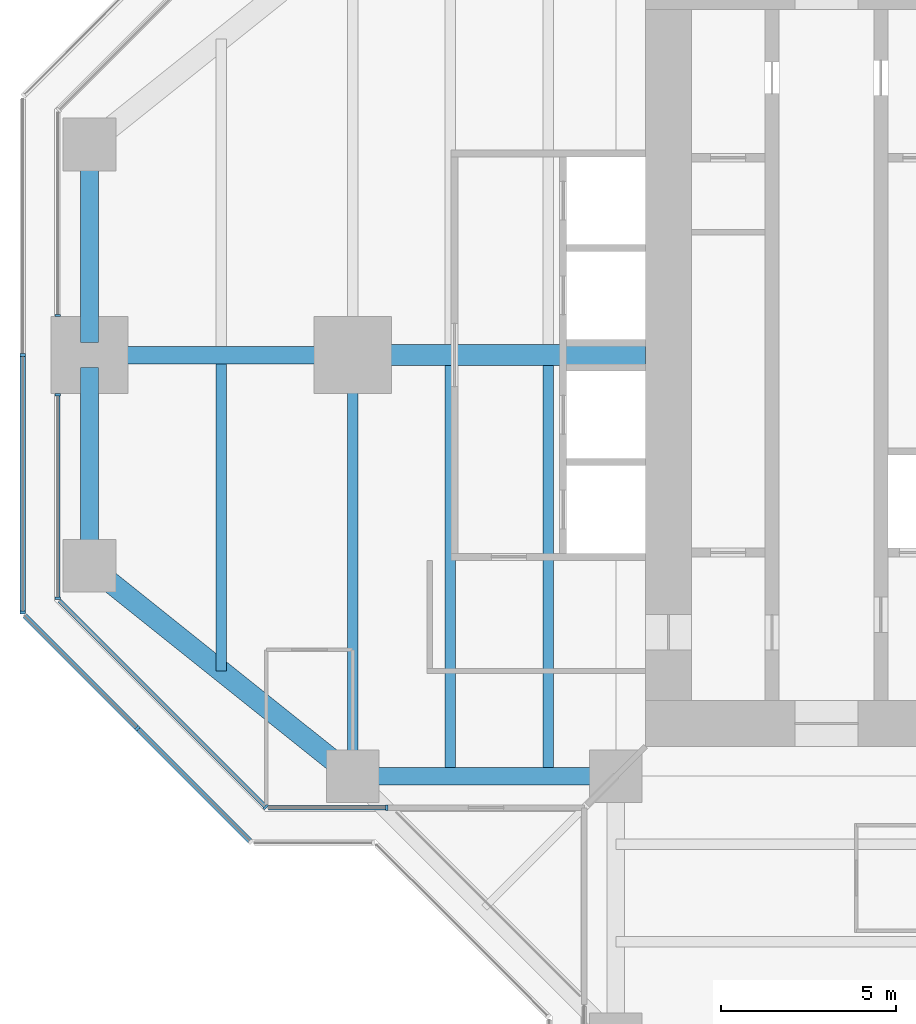
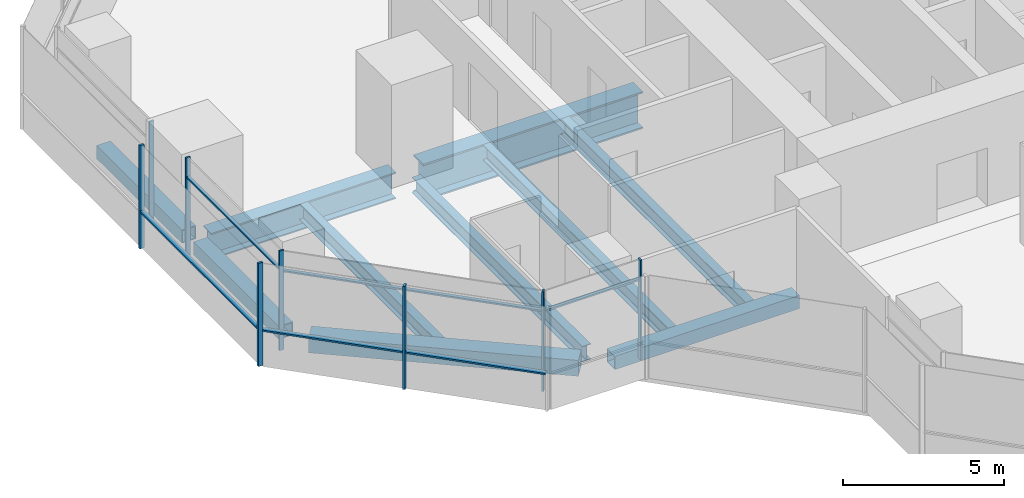
# One storey, part 3 of 17: 14 members, 10 beams, 6 elements without a shape of their own.
"""IFC4 building model written with IfcOpenShell, lengths in metres."""

from ifc_helpers import new_model, si_unit, direction, frame, origin, origin_2d, place, context, subcontext, project, spatial, rectangle, hollow_rectangle, i_section, extrude, material, material_profile, profile_set, type_object, element, aggregate, save


model = new_model("IFC4")

# Units and contexts
model_context = context("Model", 3, precision=1e-05, world=origin(), true_north=direction((0.0, 1.0)))
body_context = subcontext(model_context, "Body", "Model", "MODEL_VIEW")
ifc_project = project(units=[si_unit("LENGTHUNIT", "METRE"), si_unit("AREAUNIT", "SQUARE_METRE"), si_unit("VOLUMEUNIT", "CUBIC_METRE"), si_unit("PLANEANGLEUNIT", "RADIAN"), si_unit("MASSUNIT", "GRAM", prefix="KILO")], contexts=[model_context])

# Site, building, storey
site_placement = place(None, origin())
site = spatial("IfcSite", under=ifc_project, at=site_placement, CompositionType="ELEMENT")
building_placement = place(site_placement, origin())
building = spatial("IfcBuilding", under=site, at=building_placement, Name="Mizan Broadcast Tower", CompositionType="ELEMENT")
storey_placement = place(building_placement, frame((0.0, 0.0, 251.699951171875)))
storey = spatial("IfcBuildingStorey", under=building, at=storey_placement, Name="L59", CompositionType="ELEMENT", Elevation=251.699951171875)

# Beams
ifc_material_1 = material(Name="Steel S355", Category="steel")
ifc_material_profile_1 = material_profile(ifc_material_1, hollow_rectangle(XDim=0.5, YDim=0.5, WallThickness=0.030029296875, at=origin_2d()), Name="BOX 500x500x30")
ifc_profile_set_1 = profile_set([ifc_material_profile_1], Name="Steel S355")
beam_type_1 = type_object("IfcBeamType", Name="EDGE BEAM BOX 500x500x30", PredefinedType="SPANDREL", material=ifc_profile_set_1)
beam_1_placement = place(storey_placement, frame((-27.0, 5.639892578125, -0.3798828125), z_axis=(0.0, -1.0, 0.0), x_axis=(1.0, 0.0, 0.0)))
element("IfcBeam", 1, at=beam_1_placement, inside=storey, type_object=beam_type_1, Name="Edge beam BOX 500x500x30 L59 west arm", PredefinedType="SPANDREL", context=body_context, shape_type="SweptSolid", body=[
    extrude(hollow_rectangle(XDim=0.5, YDim=0.5, WallThickness=0.030029296875, at=origin_2d()), origin(), (0.0, 0.0, 1.0), 5.27978515625),
])
beam_2_placement = place(storey_placement, frame((-12.449951171875, -12.0, -0.3798828125), z_axis=(-1.0, 0.0, 0.0), x_axis=(0.0, -1.0, 0.0)))
element("IfcBeam", 2, at=beam_2_placement, inside=storey, type_object=beam_type_1, Name="Edge beam BOX 500x500x30 L59 west arm", PredefinedType="SPANDREL", context=body_context, shape_type="SweptSolid", body=[
    extrude(hollow_rectangle(XDim=0.5, YDim=0.5, WallThickness=0.030029296875, at=origin_2d()), origin(), (0.0, 0.0, 1.0), 6.60009765625),
])
beam_3_placement = place(storey_placement, frame((-27.0, -5.639892578125, -0.3798828125), z_axis=(0.0, 1.0, 0.0), x_axis=(-1.0, 0.0, 0.0)))
element("IfcBeam", 3, at=beam_3_placement, inside=storey, type_object=beam_type_1, Name="Edge beam BOX 500x500x30 L59 west arm", PredefinedType="SPANDREL", context=body_context, shape_type="SweptSolid", body=[
    extrude(hollow_rectangle(XDim=0.5, YDim=0.5, WallThickness=0.030029296875, at=origin_2d()), origin(), (0.0, 0.0, 1.0), 5.27978515625),
])
ifc_material_2 = material(Name="Steel S355", Category="steel")
ifc_material_profile_2 = material_profile(ifc_material_2, hollow_rectangle(XDim=0.60009765625, YDim=0.60009765625, WallThickness=0.030029296875, at=origin_2d()), Name="BOX 600x600x30")
ifc_profile_set_2 = profile_set([ifc_material_profile_2], Name="Steel S355")
beam_type_2 = type_object("IfcBeamType", Name="EDGE BEAM BOX 600x600x30", PredefinedType="SPANDREL", material=ifc_profile_set_2)
beam_4_placement = place(storey_placement, frame((-19.949951171875, -11.639892578125, -0.429931640625), z_axis=(-0.780885717636, 0.624673911726, 0.0), x_axis=(-0.624673911726, -0.780885717636, 0.0)))
element("IfcBeam", 4, at=beam_4_placement, inside=storey, type_object=beam_type_2, Name="Edge beam BOX 600x600x30 L59 west arm", PredefinedType="SPANDREL", context=body_context, shape_type="SweptSolid", body=[
    extrude(hollow_rectangle(XDim=0.60009765625, YDim=0.60009765625, WallThickness=0.030029296875, at=origin_2d()), origin(), (0.0, 0.0, 1.0), 8.4521484375),
])
ifc_material_3 = material(Name="Steel S355", Category="steel")
ifc_material_profile_3 = material_profile(ifc_material_3, i_section(OverallWidth=0.300048828125, OverallDepth=0.590087890625, WebThickness=0.012939453125, FlangeThickness=0.02490234375, FilletRadius=0.027099609375, at=origin_2d()), Name="HEA 600")
ifc_profile_set_3 = profile_set([ifc_material_profile_3], Name="Steel S355")
beam_type_3 = type_object("IfcBeamType", Name="GIRDER HEA 600", PredefinedType="BEAM", material=ifc_profile_set_3)
beam_5_placement = place(storey_placement, frame((-19.5, -11.280029296875, -0.425048828125), z_axis=(0.0, 1.0, 0.0), x_axis=(-1.0, 0.0, 0.0)))
element("IfcBeam", 5, at=beam_5_placement, inside=storey, type_object=beam_type_3, Name="Girder HEA 600 L59 west arm", PredefinedType="BEAM", context=body_context, shape_type="SweptSolid", body=[
    extrude(i_section(OverallWidth=0.300048828125, OverallDepth=0.590087890625, WebThickness=0.012939453125, FlangeThickness=0.02490234375, FilletRadius=0.027099609375, at=origin_2d()), origin(), (0.0, 0.0, 1.0), 10.56005859375),
])
ifc_material_4 = material(Name="Steel S460", Category="steel")
ifc_material_profile_4 = material_profile(ifc_material_4, i_section(OverallWidth=0.5, OverallDepth=1.0, WebThickness=0.02490234375, FlangeThickness=0.050048828125, at=origin_2d()), Name="WPG 1000x500")
ifc_profile_set_4 = profile_set([ifc_material_profile_4], Name="Steel S460")
beam_type_4 = type_object("IfcBeamType", Name="GIRDER WPG 1000x500", PredefinedType="BEAM", material=ifc_profile_set_4)
beam_6_placement = place(storey_placement, frame((-19.949951171875, 0.0, -0.6298828125), z_axis=(-1.0, 0.0, 0.0), x_axis=(0.0, -1.0, 0.0)))
element("IfcBeam", 6, at=beam_6_placement, inside=storey, type_object=beam_type_4, Name="Girder WPG 1000x500 L59 west arm", PredefinedType="BEAM", context=body_context, shape_type="SweptSolid", body=[
    extrude(i_section(OverallWidth=0.5, OverallDepth=1.0, WebThickness=0.02490234375, FlangeThickness=0.050048828125, at=origin_2d()), origin(), (0.0, 0.0, 1.0), 6.60009765625),
])
ifc_material_5 = material(Name="Steel S460", Category="steel")
ifc_material_profile_5 = material_profile(ifc_material_5, i_section(OverallWidth=0.60009765625, OverallDepth=1.39990234375, WebThickness=0.02490234375, FlangeThickness=0.06005859375, at=origin_2d()), Name="WPG 1400x600")
ifc_profile_set_5 = profile_set([ifc_material_profile_5], Name="Steel S460")
beam_type_5 = type_object("IfcBeamType", Name="GIRDER WPG 1400x600", PredefinedType="BEAM", material=ifc_profile_set_5)
beam_7_placement = place(storey_placement, frame((-11.14990234375, 0.0, -0.829833984375), z_axis=(-1.0, 0.0, 0.0), x_axis=(0.0, -1.0, 0.0)))
element("IfcBeam", 7, at=beam_7_placement, inside=storey, type_object=beam_type_5, Name="Girder WPG 1400x600 L59 west arm", PredefinedType="BEAM", context=body_context, shape_type="SweptSolid", body=[
    extrude(i_section(OverallWidth=0.60009765625, OverallDepth=1.39990234375, WebThickness=0.02490234375, FlangeThickness=0.06005859375, at=origin_2d()), origin(), (0.0, 0.0, 1.0), 7.84912109375),
])

# Curtain wall, member
ifc_material_6 = material(Name="Aluminium framed glazing", Category="aluminium")
curtain_wall_type_1 = type_object("IfcCurtainWallType", Name="INNER SKIN HIGH ZONE", PredefinedType="USERDEFINED", material=ifc_material_6)
curtain_wall_1_placement = place(storey_placement, origin())
curtain_wall_1 = element("IfcCurtainWall", 8, at=curtain_wall_1_placement, inside=storey, type_object=curtain_wall_type_1, Name="Inner skin high zone L59 W end", ObjectType="INNER SKIN HIGH ZONE", PredefinedType="USERDEFINED")
ifc_material_7 = material(Name="Aluminium, pale anodised", Category="aluminium")
ifc_material_profile_6 = material_profile(ifc_material_7, rectangle(XDim=0.159912109375, YDim=0.06005859375, at=origin_2d()), Name="MULLION 160x60")
ifc_profile_set_6 = profile_set([ifc_material_profile_6], Name="Aluminium, pale anodised")
member_type_1 = type_object("IfcMemberType", Name="INNER SKIN MULLION 60x160", PredefinedType="MULLION", material=ifc_profile_set_6)
member_1_placement = place(storey_placement, frame((-27.89990234375, 1.1298828125, 0.0), z_axis=(0.0, 0.0, 1.0), x_axis=(1.0, 0.0, 0.0)))
member_1 = element("IfcMember", 9, at=member_1_placement, type_object=member_type_1, Name="Inner skin high zone L59 W end mullion 2", PredefinedType="MULLION", context=body_context, shape_type="SweptSolid", body=[
    extrude(rectangle(XDim=0.159912109375, YDim=0.06005859375, at=origin_2d()), origin(), (0.0, 0.0, 1.0), 3.77001953125),
])
aggregate(curtain_wall_1, [member_1])

# Curtain wall, members
curtain_wall_2_placement = place(storey_placement, origin())
curtain_wall_2 = element("IfcCurtainWall", 10, at=curtain_wall_2_placement, inside=storey, type_object=curtain_wall_type_1, Name="Inner skin high zone L59 W end", ObjectType="INNER SKIN HIGH ZONE", PredefinedType="USERDEFINED")
member_2_placement = place(storey_placement, frame((-27.89990234375, -1.1298828125, 0.0), z_axis=(0.0, 0.0, 1.0), x_axis=(1.0, 0.0, 0.0)))
member_2 = element("IfcMember", 11, at=member_2_placement, type_object=member_type_1, Name="Inner skin high zone L59 W end mullion 1", PredefinedType="MULLION", context=body_context, shape_type="SweptSolid", body=[
    extrude(rectangle(XDim=0.159912109375, YDim=0.06005859375, at=origin_2d()), origin(), (0.0, 0.0, 1.0), 3.77001953125),
])
member_3_placement = place(storey_placement, frame((-27.89990234375, -6.928466796875, 0.0), z_axis=(0.0, 0.0, 1.0), x_axis=(1.0, 0.0, 0.0)))
member_3 = element("IfcMember", 12, at=member_3_placement, type_object=member_type_1, Name="Inner skin high zone L59 W end mullion 2", PredefinedType="MULLION", context=body_context, shape_type="SweptSolid", body=[
    extrude(rectangle(XDim=0.159912109375, YDim=0.06005859375, at=origin_2d()), origin(), (0.0, 0.0, 1.0), 3.77001953125),
])

# Curtain wall, member
curtain_wall_3_placement = place(storey_placement, origin())
curtain_wall_3 = element("IfcCurtainWall", 13, at=curtain_wall_3_placement, inside=storey, type_object=curtain_wall_type_1, Name="Inner skin high zone L59 W chamfer", ObjectType="INNER SKIN HIGH ZONE", PredefinedType="USERDEFINED")
member_4_placement = place(storey_placement, frame((-21.979736328125, -12.87890625, 0.0), z_axis=(0.0, 0.0, 1.0), x_axis=(0.707106781187, 0.707106781187, 0.0)))
member_4 = element("IfcMember", 14, at=member_4_placement, type_object=member_type_1, Name="Inner skin high zone L59 W chamfer mullion 2", PredefinedType="MULLION", context=body_context, shape_type="SweptSolid", body=[
    extrude(rectangle(XDim=0.159912109375, YDim=0.06005859375, at=origin_2d()), origin(), (0.0, 0.0, 1.0), 3.77001953125),
])

curtain_wall_4_placement = place(storey_placement, origin())
curtain_wall_4 = element("IfcCurtainWall", 15, at=curtain_wall_4_placement, inside=storey, type_object=curtain_wall_type_1, Name="Inner skin high zone L59 W side", ObjectType="INNER SKIN HIGH ZONE", PredefinedType="USERDEFINED")
member_5_placement = place(storey_placement, frame((-18.530029296875, -12.89990234375, 0.0), z_axis=(0.0, 0.0, 1.0), x_axis=(0.0, 1.0, 0.0)))
member_5 = element("IfcMember", 16, at=member_5_placement, type_object=member_type_1, Name="Inner skin high zone L59 W side mullion 2", PredefinedType="MULLION", context=body_context, shape_type="SweptSolid", body=[
    extrude(rectangle(XDim=0.159912109375, YDim=0.06005859375, at=origin_2d()), origin(), (0.0, 0.0, 1.0), 3.77001953125),
])

# Member
ifc_material_8 = material(Name="Aluminium, pale anodised", Category="aluminium")
ifc_material_profile_7 = material_profile(ifc_material_8, rectangle(XDim=0.1201171875, YDim=0.06005859375, at=origin_2d()), Name="TRANSOM 120x60")
ifc_profile_set_7 = profile_set([ifc_material_profile_7], Name="Aluminium, pale anodised")
member_type_2 = type_object("IfcMemberType", Name="INNER SKIN TRANSOM 60x120", PredefinedType="USERDEFINED", material=ifc_profile_set_7)
member_6_placement = place(storey_placement, frame((-27.89990234375, -1.159912109375, 3.030029296875), z_axis=(0.0, -1.0, 0.0), x_axis=(1.0, 0.0, 0.0)))
member_6 = element("IfcMember", 17, at=member_6_placement, type_object=member_type_2, Name="Inner skin high zone L59 W end transom 1.1", ObjectType="TRANSOM", PredefinedType="USERDEFINED", context=body_context, shape_type="SweptSolid", body=[
    extrude(rectangle(XDim=0.1201171875, YDim=0.06005859375, at=origin_2d()), origin(), (0.0, 0.0, 1.0), 5.73876953125),
])

aggregate(curtain_wall_2, [member_2, member_3, member_6])

member_7_placement = place(storey_placement, frame((-27.857666015625, -7.0009765625, 3.030029296875), z_axis=(0.707106781187, -0.707106781187, 0.0), x_axis=(0.707106781187, 0.707106781187, 0.0)))
member_7 = element("IfcMember", 18, at=member_7_placement, type_object=member_type_2, Name="Inner skin high zone L59 W chamfer transom 1.1", ObjectType="TRANSOM", PredefinedType="USERDEFINED", context=body_context, shape_type="SweptSolid", body=[
    extrude(rectangle(XDim=0.1201171875, YDim=0.06005859375, at=origin_2d()), origin(), (0.0, 0.0, 1.0), 8.28271484375),
])

aggregate(curtain_wall_3, [member_4, member_7])

member_8_placement = place(storey_placement, frame((-21.898681640625, -12.89990234375, 3.030029296875), z_axis=(1.0, 0.0, 0.0), x_axis=(0.0, 1.0, 0.0)))
member_8 = element("IfcMember", 19, at=member_8_placement, type_object=member_type_2, Name="Inner skin high zone L59 W side transom 1.1", ObjectType="TRANSOM", PredefinedType="USERDEFINED", context=body_context, shape_type="SweptSolid", body=[
    extrude(rectangle(XDim=0.1201171875, YDim=0.06005859375, at=origin_2d()), origin(), (0.0, 0.0, 1.0), 3.338623046875),
])

aggregate(curtain_wall_4, [member_5, member_8])

# Curtain wall, members
ifc_material_9 = material(Name="Aluminium framed glazing", Category="aluminium")
curtain_wall_type_2 = type_object("IfcCurtainWallType", Name="OUTER SKIN", PredefinedType="USERDEFINED", material=ifc_material_9)
curtain_wall_5_placement = place(storey_placement, origin())
curtain_wall_5 = element("IfcCurtainWall", 20, at=curtain_wall_5_placement, inside=storey, type_object=curtain_wall_type_2, Name="Outer skin L59 W end", ObjectType="OUTER SKIN", PredefinedType="USERDEFINED")
ifc_material_10 = material(Name="Aluminium, pale anodised", Category="aluminium")
ifc_material_profile_8 = material_profile(ifc_material_10, rectangle(XDim=0.159912109375, YDim=0.080078125, at=origin_2d()), Name="MULLION 160x80")
ifc_profile_set_8 = profile_set([ifc_material_profile_8], Name="Aluminium, pale anodised")
member_type_3 = type_object("IfcMemberType", Name="OUTER SKIN MULLION 80x160", PredefinedType="MULLION", material=ifc_profile_set_8)
member_9_placement = place(storey_placement, frame((-28.89990234375, 0.0, 0.0), z_axis=(0.0, 0.0, 1.0), x_axis=(1.0, 0.0, 0.0)))
member_9 = element("IfcMember", 21, at=member_9_placement, type_object=member_type_3, Name="Outer skin L59 W end mullion 2", PredefinedType="MULLION", context=body_context, shape_type="SweptSolid", body=[
    extrude(rectangle(XDim=0.159912109375, YDim=0.080078125, at=origin_2d()), origin(), (0.0, 0.0, 1.0), 3.900146484375),
])
member_10_placement = place(storey_placement, frame((-28.89990234375, -7.332763671875, 0.0), z_axis=(0.0, 0.0, 1.0), x_axis=(1.0, 0.0, 0.0)))
member_10 = element("IfcMember", 22, at=member_10_placement, type_object=member_type_3, Name="Outer skin L59 W end mullion 3", PredefinedType="MULLION", context=body_context, shape_type="SweptSolid", body=[
    extrude(rectangle(XDim=0.159912109375, YDim=0.080078125, at=origin_2d()), origin(), (0.0, 0.0, 1.0), 3.900146484375),
])

# Curtain wall, member
curtain_wall_6_placement = place(storey_placement, origin())
curtain_wall_6 = element("IfcCurtainWall", 23, at=curtain_wall_6_placement, inside=storey, type_object=curtain_wall_type_2, Name="Outer skin L59 W chamfer", ObjectType="OUTER SKIN", PredefinedType="USERDEFINED")
member_11_placement = place(storey_placement, frame((-25.636474609375, -10.636474609375, 0.0), z_axis=(0.0, 0.0, 1.0), x_axis=(0.707106781187, 0.707106781187, 0.0)))
member_11 = element("IfcMember", 24, at=member_11_placement, type_object=member_type_3, Name="Outer skin L59 W chamfer mullion 2", PredefinedType="MULLION", context=body_context, shape_type="SweptSolid", body=[
    extrude(rectangle(XDim=0.159912109375, YDim=0.080078125, at=origin_2d()), origin(), (0.0, 0.0, 1.0), 3.900146484375),
])

# Member
ifc_material_11 = material(Name="Aluminium, pale anodised", Category="aluminium")
ifc_material_profile_9 = material_profile(ifc_material_11, rectangle(XDim=0.159912109375, YDim=0.06005859375, at=origin_2d()), Name="TRANSOM 160x60")
ifc_profile_set_9 = profile_set([ifc_material_profile_9], Name="Aluminium, pale anodised")
member_type_4 = type_object("IfcMemberType", Name="OUTER SKIN TRANSOM 60x160", PredefinedType="USERDEFINED", material=ifc_profile_set_9)
member_12_placement = place(storey_placement, frame((-28.89990234375, -0.0400390625, 1.400146484375), z_axis=(0.0, -1.0, 0.0), x_axis=(1.0, 0.0, 0.0)))
member_12 = element("IfcMember", 25, at=member_12_placement, type_object=member_type_4, Name="Outer skin L59 W end transom 2.1", ObjectType="TRANSOM", PredefinedType="USERDEFINED", context=body_context, shape_type="SweptSolid", body=[
    extrude(rectangle(XDim=0.159912109375, YDim=0.06005859375, at=origin_2d()), origin(), (0.0, 0.0, 1.0), 7.252685546875),
])

aggregate(curtain_wall_5, [member_9, member_10, member_12])

member_13_placement = place(storey_placement, frame((-28.843505859375, -7.429443359375, 1.400146484375), z_axis=(0.707106781187, -0.707106781187, 0.0), x_axis=(0.707106781187, 0.707106781187, 0.0)))
member_13 = element("IfcMember", 26, at=member_13_placement, type_object=member_type_4, Name="Outer skin L59 W chamfer transom 1.1", ObjectType="TRANSOM", PredefinedType="USERDEFINED", context=body_context, shape_type="SweptSolid", body=[
    extrude(rectangle(XDim=0.159912109375, YDim=0.06005859375, at=origin_2d()), origin(), (0.0, 0.0, 1.0), 4.495361328125),
])

member_14_placement = place(storey_placement, frame((-25.608154296875, -10.664794921875, 1.400146484375), z_axis=(0.707106781187, -0.707106781187, 0.0), x_axis=(0.707106781187, 0.707106781187, 0.0)))
member_14 = element("IfcMember", 27, at=member_14_placement, type_object=member_type_4, Name="Outer skin L59 W chamfer transom 2.1", ObjectType="TRANSOM", PredefinedType="USERDEFINED", context=body_context, shape_type="SweptSolid", body=[
    extrude(rectangle(XDim=0.159912109375, YDim=0.06005859375, at=origin_2d()), origin(), (0.0, 0.0, 1.0), 4.495361328125),
])

aggregate(curtain_wall_6, [member_11, member_13, member_14])

# Beams
ifc_material_12 = material(Name="Steel S355", Category="steel")
ifc_material_profile_10 = material_profile(ifc_material_12, i_section(OverallWidth=0.300048828125, OverallDepth=0.590087890625, WebThickness=0.012939453125, FlangeThickness=0.02490234375, FilletRadius=0.027099609375, at=origin_2d()), Name="HEA 600")
ifc_profile_set_10 = profile_set([ifc_material_profile_10], Name="Steel S355")
beam_type_6 = type_object("IfcBeamType", Name="SECONDARY BEAM HEA 600", PredefinedType="JOIST", material=ifc_profile_set_10)
for number, where, z_axis, x_axis, name in (
    (28, (-13.933349609375, -12.0, -0.425048828125), (0.0, 1.0, 0.0), (-1.0, 0.0, 0.0), "Secondary beam HEA 600 L59 west arm"),
    (29, (-16.716552734375, -12.0, -0.425048828125), (0.0, 1.0, 0.0), (-1.0, 0.0, 0.0), "Secondary beam HEA 600 L59 west arm"),
):
    element("IfcBeam", number, at=place(storey_placement, frame(where, z_axis=z_axis, x_axis=x_axis)), inside=storey, type_object=beam_type_6, Name=name, PredefinedType="JOIST", context=body_context, shape_type="SweptSolid", body=[
        extrude(i_section(OverallWidth=0.300048828125, OverallDepth=0.590087890625, WebThickness=0.012939453125, FlangeThickness=0.02490234375, FilletRadius=0.027099609375, at=origin_2d()), origin(), (0.0, 0.0, 1.0), 11.699951171875),
    ])
beam_8_placement = place(storey_placement, frame((-23.25, -9.0, -0.425048828125), z_axis=(0.0, 1.0, 0.0), x_axis=(-1.0, 0.0, 0.0)))
element("IfcBeam", 30, at=beam_8_placement, inside=storey, type_object=beam_type_6, Name="Secondary beam HEA 600 L59 west arm", PredefinedType="JOIST", context=body_context, shape_type="SweptSolid", body=[
    extrude(i_section(OverallWidth=0.300048828125, OverallDepth=0.590087890625, WebThickness=0.012939453125, FlangeThickness=0.02490234375, FilletRadius=0.027099609375, at=origin_2d()), origin(), (0.0, 0.0, 1.0), 8.75),
])

save(model, "model.ifc")
